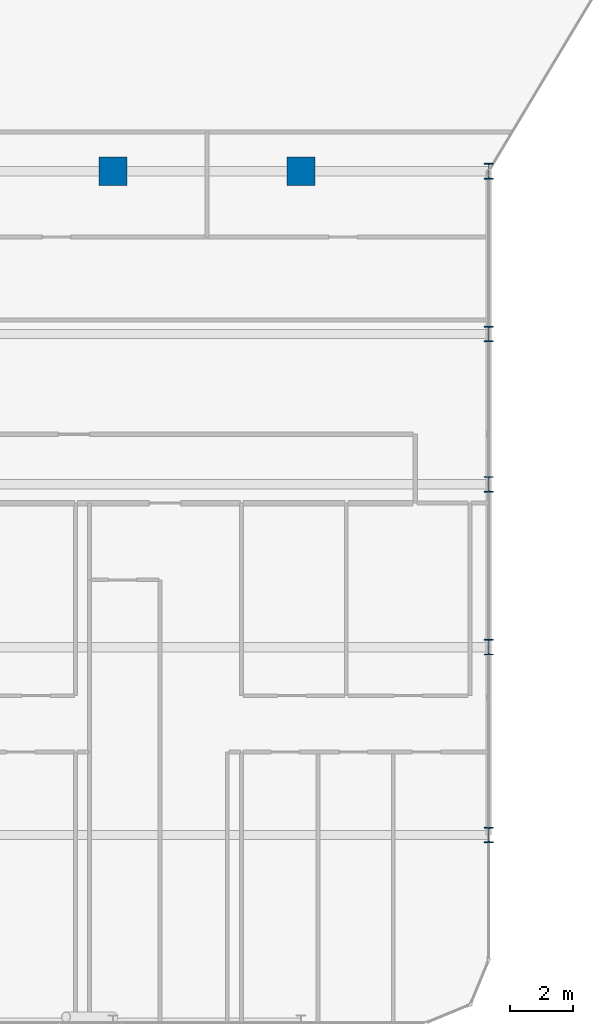
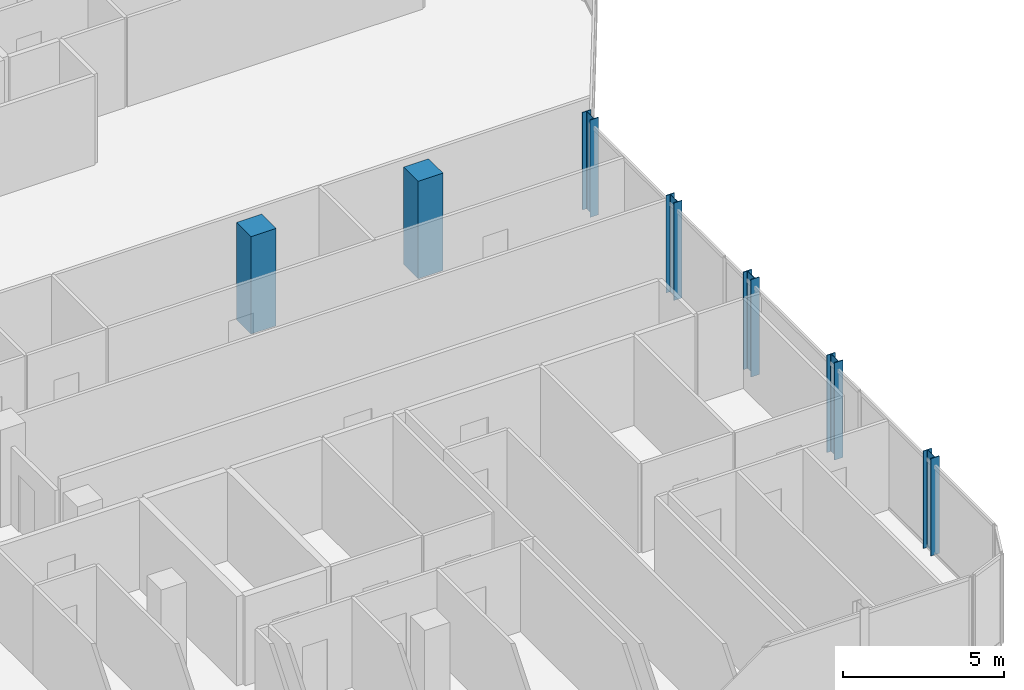
# One storey, part 2 of 32: 7 columns.
"""IFC4 building model written with IfcOpenShell, lengths in metres."""

from ifc_helpers import new_model, si_unit, direction, frame, origin, origin_2d, place, context, subcontext, project, spatial, rectangle, i_section, extrude, material, material_profile, profile_set, type_object, element, save


model = new_model("IFC4")

# Units and contexts
model_context = context("Model", 3, precision=1e-05, world=origin(), true_north=direction((0.0, 1.0)))
body_context = subcontext(model_context, "Body", "Model", "MODEL_VIEW")
ifc_project = project(units=[si_unit("LENGTHUNIT", "METRE"), si_unit("AREAUNIT", "SQUARE_METRE"), si_unit("VOLUMEUNIT", "CUBIC_METRE"), si_unit("PLANEANGLEUNIT", "RADIAN"), si_unit("MASSUNIT", "GRAM", prefix="KILO")], contexts=[model_context])

# Site, building, storey
site_placement = place(None, origin())
site = spatial("IfcSite", under=ifc_project, at=site_placement, CompositionType="ELEMENT")
building_placement = place(site_placement, origin())
building = spatial("IfcBuilding", under=site, at=building_placement, Name="Keshet Zoharim Tower", CompositionType="ELEMENT")
storey_placement = place(building_placement, frame((0.0, 0.0, 137.199951171875)))
storey = spatial("IfcBuildingStorey", under=building, at=storey_placement, Name="L33", CompositionType="ELEMENT", Elevation=137.199951171875)

# Columns
ifc_material_1 = material(Name="Steel S355", Category="steel")
ifc_material_profile_1 = material_profile(ifc_material_1, i_section(OverallWidth=0.300048828125, OverallDepth=0.5, WebThickness=0.014404296875, FlangeThickness=0.028076171875, FilletRadius=0.027099609375, at=origin_2d()), Name="HEB500")
ifc_profile_set_1 = profile_set([ifc_material_profile_1], Name="Steel S355")
column_type_1 = type_object("IfcColumnType", Name="COL-HEB500", PredefinedType="COLUMN", material=ifc_profile_set_1)
for number, where, z_axis, x_axis, name in (
    (1, (57.0, 6.699951171875, 0.0), (0.0, 0.0, 1.0), (1.0, 0.0, 0.0), "L33 Column 10B"),
    (2, (57.0, 12.699951171875, 0.0), (0.0, 0.0, 1.0), (1.0, 0.0, 0.0), "L33 Column 10C"),
    (3, (57.0, 17.89990234375, 0.0), (0.0, 0.0, 1.0), (1.0, 0.0, 0.0), "L33 Column 10D"),
    (4, (57.0, 22.699951171875, 0.0), (0.0, 0.0, 1.0), (1.0, 0.0, 0.0), "L33 Column 10E"),
    (5, (57.0, 27.89990234375, 0.0), (0.0, 0.0, 1.0), (1.0, 0.0, 0.0), "L33 Column 10F"),
):
    element("IfcColumn", number, at=place(storey_placement, frame(where, z_axis=z_axis, x_axis=x_axis)), inside=storey, type_object=column_type_1, Name=name, PredefinedType="COLUMN", context=body_context, shape_type="SweptSolid", body=[
        extrude(i_section(OverallWidth=0.300048828125, OverallDepth=0.5, WebThickness=0.014404296875, FlangeThickness=0.028076171875, FilletRadius=0.027099609375, at=origin_2d()), origin(), (0.0, 0.0, 1.0), 3.699951171875),
    ])
ifc_material_2 = material(Name="Concrete C60/75", Category="concrete")
ifc_material_profile_2 = material_profile(ifc_material_2, rectangle(XDim=0.89990234375, YDim=0.89990234375, at=origin_2d()), Name="RC900x900")
ifc_profile_set_2 = profile_set([ifc_material_profile_2], Name="Concrete C60/75")
column_type_2 = type_object("IfcColumnType", Name="COL-RC900", PredefinedType="COLUMN", material=ifc_profile_set_2)
for number, where, z_axis, x_axis, name in (
    (6, (45.0, 27.89990234375, 0.0), (0.0, 0.0, 1.0), (1.0, 0.0, 0.0), "L33 Column 8F"),
    (7, (51.0, 27.89990234375, 0.0), (0.0, 0.0, 1.0), (1.0, 0.0, 0.0), "L33 Column 9F"),
):
    element("IfcColumn", number, at=place(storey_placement, frame(where, z_axis=z_axis, x_axis=x_axis)), inside=storey, type_object=column_type_2, Name=name, PredefinedType="COLUMN", context=body_context, shape_type="SweptSolid", body=[
        extrude(rectangle(XDim=0.89990234375, YDim=0.89990234375, at=origin_2d()), origin(), (0.0, 0.0, 1.0), 3.699951171875),
    ])

save(model, "model.ifc")
